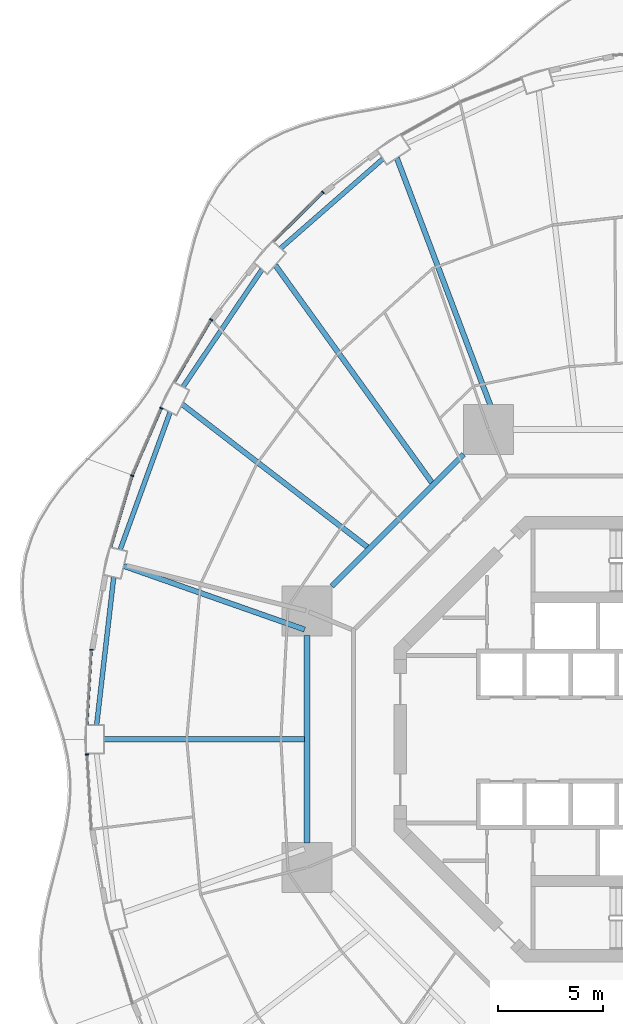
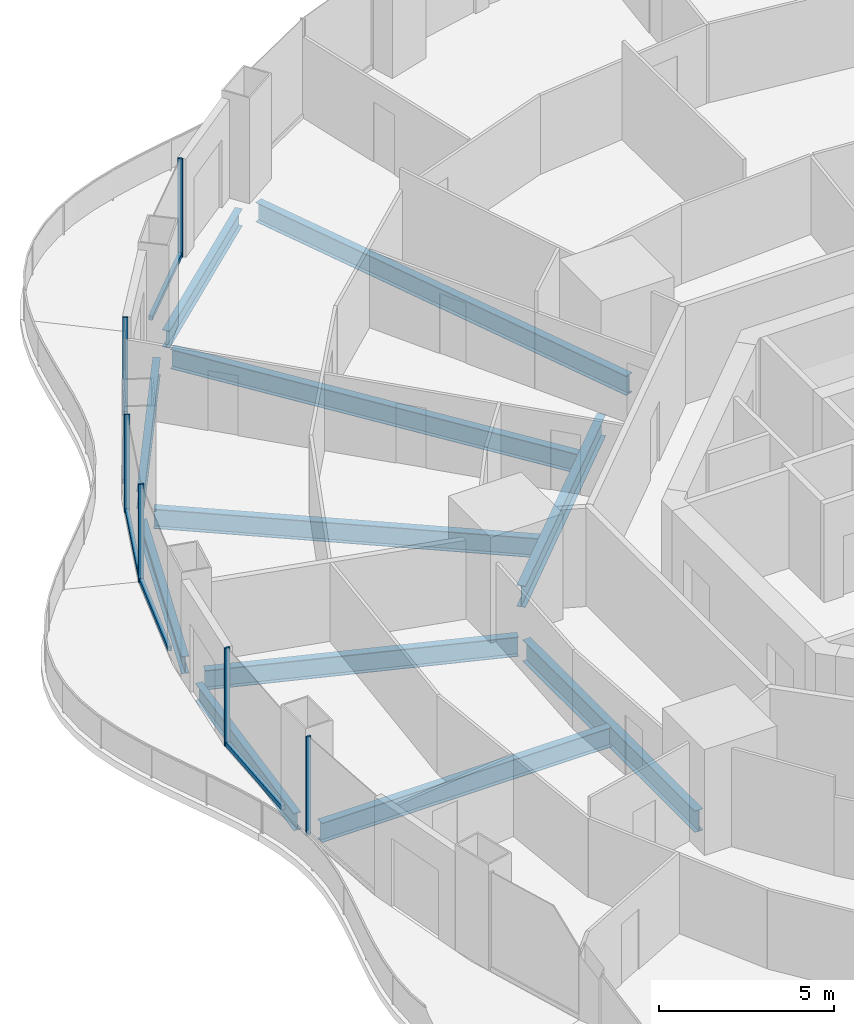
# One storey, part 7 of 22: 11 beams, 11 members, 6 elements without a shape of their own.
"""IFC4 building model written with IfcOpenShell, lengths in metres."""

from ifc_helpers import new_model, si_unit, direction, frame, origin, origin_2d, place, context, subcontext, project, spatial, rectangle, i_section, extrude, material, layer, layer_set, material_profile, profile_set, type_object, element, aggregate, save


model = new_model("IFC4")

# Units and contexts
model_context = context("Model", 3, precision=1e-05, world=origin(), true_north=direction((0.0, 1.0)))
body_context = subcontext(model_context, "Body", "Model", "MODEL_VIEW")
ifc_project = project(units=[si_unit("LENGTHUNIT", "METRE"), si_unit("AREAUNIT", "SQUARE_METRE"), si_unit("VOLUMEUNIT", "CUBIC_METRE"), si_unit("PLANEANGLEUNIT", "RADIAN"), si_unit("MASSUNIT", "GRAM", prefix="KILO")], contexts=[model_context])

# Site, building, storey
site_placement = place(None, origin())
site = spatial("IfcSite", under=ifc_project, at=site_placement, CompositionType="ELEMENT")
building_placement = place(site_placement, origin())
building = spatial("IfcBuilding", under=site, at=building_placement, Name="Nagisa Residences", CompositionType="ELEMENT")
storey_placement = place(building_placement, frame((0.0, 0.0, 41.800048828125)))
storey = spatial("IfcBuildingStorey", under=building, at=storey_placement, Name="L09", CompositionType="ELEMENT", Elevation=41.800048828125)

# Curtain wall, member
ifc_material_1 = material(Name="Concrete-coloured aluminium curtain wall system", Category="concrete")
ifc_layer = layer(ifc_material_1, 0.159912109375)
ifc_layer_set = layer_set([ifc_layer], Name="CW1 CURTAIN WALL")
curtain_wall_type = type_object("IfcCurtainWallType", Name="CW1 CURTAIN WALL", PredefinedType="NOTDEFINED", material=ifc_layer_set)
curtain_wall_1_placement = place(storey_placement, origin())
curtain_wall_1 = element("IfcCurtainWall", 1, at=curtain_wall_1_placement, inside=storey, type_object=curtain_wall_type, Name="cw:CW1:L09:17", PredefinedType="NOTDEFINED")
ifc_material_2 = material(Name="Concrete-coloured aluminium", Category="concrete")
ifc_material_profile_1 = material_profile(ifc_material_2, rectangle(XDim=0.159912109375, YDim=0.06005859375, at=origin_2d()), Name="CW1 MULLION 160x60")
ifc_profile_set_1 = profile_set([ifc_material_profile_1], Name="Concrete-coloured aluminium")
member_type_1 = type_object("IfcMemberType", Name="CW1 MULLION 160x60", PredefinedType="MULLION", material=ifc_profile_set_1)
member_1_placement = place(storey_placement, frame((-14.018798828125, 26.102783203125, 0.0), z_axis=(0.0, 0.0, 1.0), x_axis=(0.706376885714, -0.707835924016, 0.0)))
member_1 = element("IfcMember", 2, at=member_1_placement, type_object=member_type_1, Name="CW1 mullion", PredefinedType="MULLION", context=body_context, shape_type="SweptSolid", body=[
    extrude(rectangle(XDim=0.159912109375, YDim=0.06005859375, at=origin_2d()), origin(), (0.0, 0.0, 1.0), 3.43994140625),
])

curtain_wall_2_placement = place(storey_placement, origin())
curtain_wall_2 = element("IfcCurtainWall", 3, at=curtain_wall_2_placement, inside=storey, type_object=curtain_wall_type, Name="cw:CW1:L09:19", PredefinedType="NOTDEFINED")
member_2_placement = place(storey_placement, frame((-19.353515625, 20.022705078125, 0.0), z_axis=(0.0, 0.0, 1.0), x_axis=(0.862328898214, -0.506348567002, 0.0)))
member_2 = element("IfcMember", 4, at=member_2_placement, type_object=member_type_1, Name="CW1 mullion", PredefinedType="MULLION", context=body_context, shape_type="SweptSolid", body=[
    extrude(rectangle(XDim=0.159912109375, YDim=0.06005859375, at=origin_2d()), origin(), (0.0, 0.0, 1.0), 3.43994140625),
])

curtain_wall_3_placement = place(storey_placement, origin())
curtain_wall_3 = element("IfcCurtainWall", 5, at=curtain_wall_3_placement, inside=storey, type_object=curtain_wall_type, Name="cw:CW1:L09:20", PredefinedType="NOTDEFINED")
member_3_placement = place(storey_placement, frame((-21.731689453125, 15.79833984375, 0.0), z_axis=(0.0, 0.0, 1.0), x_axis=(0.917543276295, -0.397635934147, 0.0)))
member_3 = element("IfcMember", 6, at=member_3_placement, type_object=member_type_1, Name="CW1 mullion", PredefinedType="MULLION", context=body_context, shape_type="SweptSolid", body=[
    extrude(rectangle(XDim=0.159912109375, YDim=0.06005859375, at=origin_2d()), origin(), (0.0, 0.0, 1.0), 3.43994140625),
])

curtain_wall_4_placement = place(storey_placement, origin())
curtain_wall_4 = element("IfcCurtainWall", 7, at=curtain_wall_4_placement, inside=storey, type_object=curtain_wall_type, Name="cw:CW1:L09:21", PredefinedType="NOTDEFINED")
member_4_placement = place(storey_placement, frame((-23.12451171875, 12.576904296875, 0.0), z_axis=(0.0, 0.0, 1.0), x_axis=(0.958271310082, -0.285860274038, 0.0)))
member_4 = element("IfcMember", 8, at=member_4_placement, type_object=member_type_1, Name="CW1 mullion", PredefinedType="MULLION", context=body_context, shape_type="SweptSolid", body=[
    extrude(rectangle(XDim=0.159912109375, YDim=0.06005859375, at=origin_2d()), origin(), (0.0, 0.0, 1.0), 3.43994140625),
])

curtain_wall_5_placement = place(storey_placement, origin())
curtain_wall_5 = element("IfcCurtainWall", 9, at=curtain_wall_5_placement, inside=storey, type_object=curtain_wall_type, Name="cw:CW1:L09:23", PredefinedType="NOTDEFINED")
member_5_placement = place(storey_placement, frame((-25.07373046875, 4.272705078125, 0.0), z_axis=(0.0, 0.0, 1.0), x_axis=(0.998345305184, -0.057503492216, 0.0)))
member_5 = element("IfcMember", 10, at=member_5_placement, type_object=member_type_1, Name="CW1 mullion", PredefinedType="MULLION", context=body_context, shape_type="SweptSolid", body=[
    extrude(rectangle(XDim=0.159912109375, YDim=0.06005859375, at=origin_2d()), origin(), (0.0, 0.0, 1.0), 3.43994140625),
])

curtain_wall_6_placement = place(storey_placement, origin())
curtain_wall_6 = element("IfcCurtainWall", 11, at=curtain_wall_6_placement, inside=storey, type_object=curtain_wall_type, Name="cw:CW1:L09:24", PredefinedType="NOTDEFINED")
member_6_placement = place(storey_placement, frame((-25.278076171875, -0.72412109375, 0.0), z_axis=(0.0, 0.0, 1.0), x_axis=(0.998345305184, 0.057503492216, 0.0)))
member_6 = element("IfcMember", 12, at=member_6_placement, type_object=member_type_1, Name="CW1 mullion", PredefinedType="MULLION", context=body_context, shape_type="SweptSolid", body=[
    extrude(rectangle(XDim=0.159912109375, YDim=0.06005859375, at=origin_2d()), origin(), (0.0, 0.0, 1.0), 3.43994140625),
])
aggregate(curtain_wall_6, [member_6])

# Member
ifc_material_3 = material(Name="Concrete-coloured aluminium", Category="concrete")
ifc_material_profile_2 = material_profile(ifc_material_3, rectangle(XDim=0.1201171875, YDim=0.14990234375, at=origin_2d()), Name="CW1 TRANSOM 120x150")
ifc_profile_set_2 = profile_set([ifc_material_profile_2], Name="Concrete-coloured aluminium")
member_type_2 = type_object("IfcMemberType", Name="CW1 TRANSOM 120x150", PredefinedType="USERDEFINED", material=ifc_profile_set_2)
member_7_placement = place(storey_placement, frame((-13.99755859375, 26.1240234375, 0.074951171875), z_axis=(-0.707839761606, -0.706373040177, 0.0), x_axis=(0.706373040177, -0.707839761606, 0.0)))
member_7 = element("IfcMember", 13, at=member_7_placement, type_object=member_type_2, Name="CW1 transom", ObjectType="TRANSOM", PredefinedType="USERDEFINED", context=body_context, shape_type="SweptSolid", body=[
    extrude(rectangle(XDim=0.1201171875, YDim=0.14990234375, at=origin_2d()), origin(), (0.0, 0.0, 1.0), 3.3291015625),
])

aggregate(curtain_wall_1, [member_1, member_7])

member_8_placement = place(storey_placement, frame((-19.33837890625, 20.048583984375, 0.074951171875), z_axis=(-0.506341951316, -0.862332782827, 0.0), x_axis=(0.862332782827, -0.506341951316, 0.0)))
member_8 = element("IfcMember", 14, at=member_8_placement, type_object=member_type_2, Name="CW1 transom", ObjectType="TRANSOM", PredefinedType="USERDEFINED", context=body_context, shape_type="SweptSolid", body=[
    extrude(rectangle(XDim=0.1201171875, YDim=0.14990234375, at=origin_2d()), origin(), (0.0, 0.0, 1.0), 3.4619140625),
])

aggregate(curtain_wall_2, [member_2, member_8])

member_9_placement = place(storey_placement, frame((-21.7197265625, 15.825927734375, 0.074951171875), z_axis=(-0.397624958345, -0.917548032803, 0.0), x_axis=(0.917548032803, -0.397624958345, 0.0)))
member_9 = element("IfcMember", 15, at=member_9_placement, type_object=member_type_2, Name="CW1 transom", ObjectType="TRANSOM", PredefinedType="USERDEFINED", context=body_context, shape_type="SweptSolid", body=[
    extrude(rectangle(XDim=0.1201171875, YDim=0.14990234375, at=origin_2d()), origin(), (0.0, 0.0, 1.0), 3.51953125),
])

aggregate(curtain_wall_3, [member_3, member_9])

member_10_placement = place(storey_placement, frame((-23.115966796875, 12.605712890625, 0.074951171875), z_axis=(-0.285808431121, -0.958286773727, 0.0), x_axis=(0.958286773727, -0.285808431121, 0.0)))
member_10 = element("IfcMember", 16, at=member_10_placement, type_object=member_type_2, Name="CW1 transom", ObjectType="TRANSOM", PredefinedType="USERDEFINED", context=body_context, shape_type="SweptSolid", body=[
    extrude(rectangle(XDim=0.1201171875, YDim=0.14990234375, at=origin_2d()), origin(), (0.0, 0.0, 1.0), 3.5654296875),
])

aggregate(curtain_wall_4, [member_4, member_10])

member_11_placement = place(storey_placement, frame((-25.072021484375, 4.302734375, 0.074951171875), z_axis=(-0.057482603412, -0.998346508135, 0.0), x_axis=(0.998346508135, -0.057482603412, 0.0)))
member_11 = element("IfcMember", 17, at=member_11_placement, type_object=member_type_2, Name="CW1 transom", ObjectType="TRANSOM", PredefinedType="USERDEFINED", context=body_context, shape_type="SweptSolid", body=[
    extrude(rectangle(XDim=0.1201171875, YDim=0.14990234375, at=origin_2d()), origin(), (0.0, 0.0, 1.0), 3.6142578125),
])

aggregate(curtain_wall_5, [member_5, member_11])

# Beams
ifc_material_4 = material(Name="Steel ASTM A572 Gr 50", Category="steel")
ifc_material_profile_3 = material_profile(ifc_material_4, i_section(OverallWidth=0.264892578125, OverallDepth=0.7529296875, WebThickness=0.01318359375, FlangeThickness=0.01708984375, at=origin_2d()), Name="W760x147")
ifc_profile_set_3 = profile_set([ifc_material_profile_3], Name="Steel ASTM A572 Gr 50")
beam_type_1 = type_object("IfcBeamType", Name="Inner ring beam W760x147", PredefinedType="BEAM", material=ifc_profile_set_3)
beam_1_placement = place(storey_placement, frame((-7.308837890625, 13.59619140625, -0.636474609375), z_axis=(-0.707106781187, -0.707106781187, 0.0), x_axis=(0.707106781187, -0.707106781187, 0.0)))
element("IfcBeam", 18, at=beam_1_placement, inside=storey, type_object=beam_type_1, Name="beam:L09:ib3", PredefinedType="BEAM", context=body_context, shape_type="SweptSolid", body=[
    extrude(i_section(OverallWidth=0.264892578125, OverallDepth=0.7529296875, WebThickness=0.01318359375, FlangeThickness=0.01708984375, at=origin_2d()), origin(), (0.0, 0.0, 1.0), 8.8916015625),
])
beam_2_placement = place(storey_placement, frame((-14.781982421875, 4.94287109375, -0.636474609375), z_axis=(0.0, -1.0, 0.0), x_axis=(1.0, 0.0, 0.0)))
element("IfcBeam", 19, at=beam_2_placement, inside=storey, type_object=beam_type_1, Name="beam:L09:ib4", PredefinedType="BEAM", context=body_context, shape_type="SweptSolid", body=[
    extrude(i_section(OverallWidth=0.264892578125, OverallDepth=0.7529296875, WebThickness=0.01318359375, FlangeThickness=0.01708984375, at=origin_2d()), origin(), (0.0, 0.0, 1.0), 9.8857421875),
])
ifc_material_5 = material(Name="Steel ASTM A572 Gr 50", Category="steel")
ifc_material_profile_4 = material_profile(ifc_material_5, i_section(OverallWidth=0.22802734375, OverallDepth=0.60302734375, WebThickness=0.010498046875, FlangeThickness=0.014892578125, at=origin_2d()), Name="W610x101")
ifc_profile_set_4 = profile_set([ifc_material_profile_4], Name="Steel ASTM A572 Gr 50")
beam_type_2 = type_object("IfcBeamType", Name="Perimeter ring beam W610x101", PredefinedType="BEAM", material=ifc_profile_set_4)
beam_3_placement = place(storey_placement, frame((-11.166748046875, 27.693603515625, -0.5615234375), z_axis=(-0.752574357292, -0.658507279191, 0.0), x_axis=(0.658507279191, -0.752574357292, 0.0)))
element("IfcBeam", 20, at=beam_3_placement, inside=storey, type_object=beam_type_2, Name="beam:L09:pb09", PredefinedType="BEAM", context=body_context, shape_type="SweptSolid", body=[
    extrude(i_section(OverallWidth=0.22802734375, OverallDepth=0.60302734375, WebThickness=0.010498046875, FlangeThickness=0.014892578125, at=origin_2d()), origin(), (0.0, 0.0, 1.0), 6.47021484375),
])
beam_4_placement = place(storey_placement, frame((-16.935302734375, 22.411865234375, -0.5615234375), z_axis=(-0.558296806041, -0.829641293792, 0.0), x_axis=(0.829641293792, -0.558296806041, 0.0)))
element("IfcBeam", 21, at=beam_4_placement, inside=storey, type_object=beam_type_2, Name="beam:L09:pb10", PredefinedType="BEAM", context=body_context, shape_type="SweptSolid", body=[
    extrude(i_section(OverallWidth=0.22802734375, OverallDepth=0.60302734375, WebThickness=0.010498046875, FlangeThickness=0.014892578125, at=origin_2d()), origin(), (0.0, 0.0, 1.0), 6.74169921875),
])
beam_5_placement = place(storey_placement, frame((-21.315673828125, 15.60595703125, -0.5615234375), z_axis=(-0.341411143183, -0.939914055279, 0.0), x_axis=(0.939914055279, -0.341411143183, 0.0)))
element("IfcBeam", 22, at=beam_5_placement, inside=storey, type_object=beam_type_2, Name="beam:L09:pb11", PredefinedType="BEAM", context=body_context, shape_type="SweptSolid", body=[
    extrude(i_section(OverallWidth=0.22802734375, OverallDepth=0.60302734375, WebThickness=0.010498046875, FlangeThickness=0.014892578125, at=origin_2d()), origin(), (0.0, 0.0, 1.0), 6.96923828125),
])
beam_6_placement = place(storey_placement, frame((-24.00732421875, 7.7314453125, -0.5615234375), z_axis=(-0.114707660057, -0.993399291687, 0.0), x_axis=(0.993399291687, -0.114707660057, 0.0)))
element("IfcBeam", 23, at=beam_6_placement, inside=storey, type_object=beam_type_2, Name="beam:L09:pb12", PredefinedType="BEAM", context=body_context, shape_type="SweptSolid", body=[
    extrude(i_section(OverallWidth=0.22802734375, OverallDepth=0.60302734375, WebThickness=0.010498046875, FlangeThickness=0.014892578125, at=origin_2d()), origin(), (0.0, 0.0, 1.0), 7.09814453125),
])
ifc_material_6 = material(Name="Steel ASTM A572 Gr 50", Category="steel")
ifc_material_profile_5 = material_profile(ifc_material_6, i_section(OverallWidth=0.25390625, OverallDepth=0.68408203125, WebThickness=0.012451171875, FlangeThickness=0.018798828125, at=origin_2d()), Name="W690x140")
ifc_profile_set_5 = profile_set([ifc_material_profile_5], Name="Steel ASTM A572 Gr 50")
beam_type_3 = type_object("IfcBeamType", Name="Radial beam W690x140", PredefinedType="BEAM", material=ifc_profile_set_5)
beam_7_placement = place(storey_placement, frame((-10.493896484375, 27.7333984375, -0.60205078125), z_axis=(0.353887892206, -0.935287848606, 0.0), x_axis=(0.935287848606, 0.353887892206, 0.0)))
element("IfcBeam", 24, at=beam_7_placement, inside=storey, type_object=beam_type_3, Name="beam:L09:rb09", PredefinedType="BEAM", context=body_context, shape_type="SweptSolid", body=[
    extrude(i_section(OverallWidth=0.25390625, OverallDepth=0.68408203125, WebThickness=0.012451171875, FlangeThickness=0.018798828125, at=origin_2d()), origin(), (0.0, 0.0, 1.0), 13.725830078125),
])
beam_8_placement = place(storey_placement, frame((-16.29443359375, 22.62255859375, -0.60205078125), z_axis=(0.58445507622, -0.811426068031, 0.0), x_axis=(0.811426068031, 0.58445507622, 0.0)))
element("IfcBeam", 25, at=beam_8_placement, inside=storey, type_object=beam_type_3, Name="beam:L09:rb10", PredefinedType="BEAM", context=body_context, shape_type="SweptSolid", body=[
    extrude(i_section(OverallWidth=0.25390625, OverallDepth=0.68408203125, WebThickness=0.012451171875, FlangeThickness=0.018798828125, at=origin_2d()), origin(), (0.0, 0.0, 1.0), 12.78955078125),
])
beam_9_placement = place(storey_placement, frame((-20.73486328125, 15.982666015625, -0.60205078125), z_axis=(0.792016146736, -0.610500141941, 0.0), x_axis=(0.610500141941, 0.792016146736, 0.0)))
element("IfcBeam", 26, at=beam_9_placement, inside=storey, type_object=beam_type_3, Name="beam:L09:rb11", PredefinedType="BEAM", context=body_context, shape_type="SweptSolid", body=[
    extrude(i_section(OverallWidth=0.25390625, OverallDepth=0.68408203125, WebThickness=0.012451171875, FlangeThickness=0.018798828125, at=origin_2d()), origin(), (0.0, 0.0, 1.0), 11.160888671875),
])
beam_10_placement = place(storey_placement, frame((-23.520751953125, 8.26806640625, -0.60205078125), z_axis=(0.943414535235, -0.331615763659, 0.0), x_axis=(0.331615763659, 0.943414535235, 0.0)))
element("IfcBeam", 27, at=beam_10_placement, inside=storey, type_object=beam_type_3, Name="beam:L09:rb12", PredefinedType="BEAM", context=body_context, shape_type="SweptSolid", body=[
    extrude(i_section(OverallWidth=0.25390625, OverallDepth=0.68408203125, WebThickness=0.012451171875, FlangeThickness=0.018798828125, at=origin_2d()), origin(), (0.0, 0.0, 1.0), 9.142333984375),
])
beam_11_placement = place(storey_placement, frame((-24.469970703125, 0.0, -0.60205078125), z_axis=(1.0, 0.0, 0.0), x_axis=(0.0, 1.0, 0.0)))
element("IfcBeam", 28, at=beam_11_placement, inside=storey, type_object=beam_type_3, Name="beam:L09:rb13", PredefinedType="BEAM", context=body_context, shape_type="SweptSolid", body=[
    extrude(i_section(OverallWidth=0.25390625, OverallDepth=0.68408203125, WebThickness=0.012451171875, FlangeThickness=0.018798828125, at=origin_2d()), origin(), (0.0, 0.0, 1.0), 9.575439453125),
])

save(model, "model.ifc")
